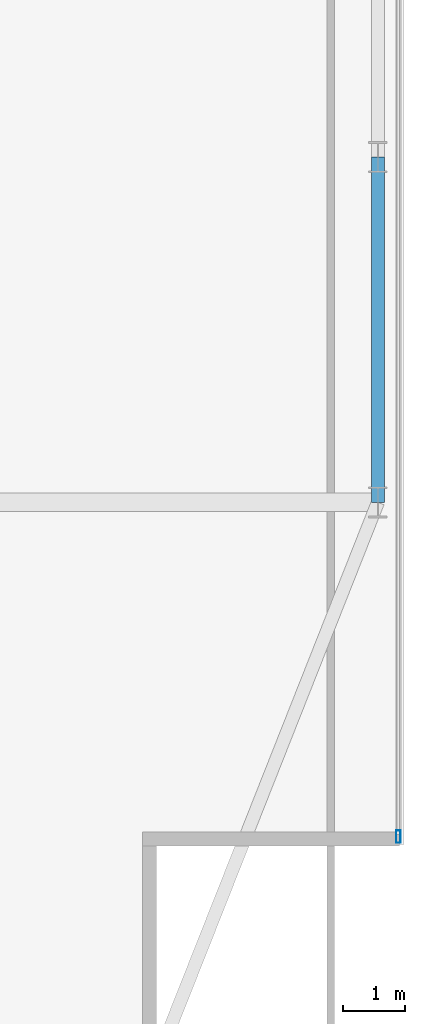
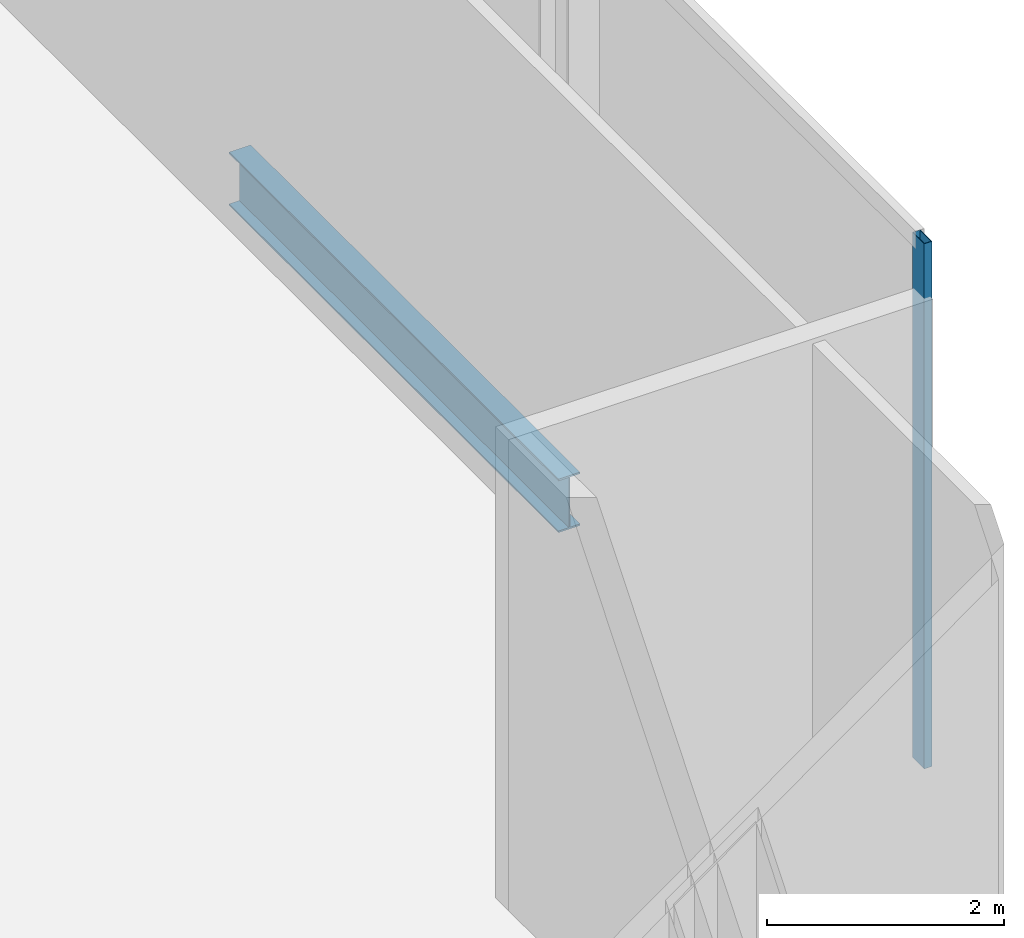
# One storey, part 13 of 23: 1 beam, 1 member, 1 element without a shape of its own.
"""IFC4 building model written with IfcOpenShell, lengths in metres."""

from ifc_helpers import new_model, si_unit, direction, frame, origin, origin_2d, place, context, subcontext, project, spatial, hollow_rectangle, i_section, extrude, material, material_profile, profile_set, type_object, element, aggregate, save


model = new_model("IFC4")

# Units and contexts
model_context = context("Model", 3, precision=1e-05, world=origin(), true_north=direction((0.0, 1.0)))
body_context = subcontext(model_context, "Body", "Model", "MODEL_VIEW")
ifc_project = project(units=[si_unit("LENGTHUNIT", "METRE"), si_unit("AREAUNIT", "SQUARE_METRE"), si_unit("VOLUMEUNIT", "CUBIC_METRE"), si_unit("PLANEANGLEUNIT", "RADIAN"), si_unit("MASSUNIT", "GRAM", prefix="KILO")], contexts=[model_context])

# Site, building, storey
site_placement = place(None, origin())
site = spatial("IfcSite", under=ifc_project, at=site_placement, CompositionType="ELEMENT")
building_placement = place(site_placement, origin())
building = spatial("IfcBuilding", under=site, at=building_placement, Name="Khoronbel Lancet Exchange", CompositionType="ELEMENT")
storey_placement = place(building_placement, frame((0.0, 0.0, 356.199951171875)))
storey = spatial("IfcBuildingStorey", under=building, at=storey_placement, Name="L92", CompositionType="ELEMENT", Elevation=356.199951171875)

# Beam
ifc_material_1 = material(Name="Steel S355", Category="steel")
ifc_material_profile_1 = material_profile(ifc_material_1, i_section(OverallWidth=0.2099609375, OverallDepth=0.550048828125, WebThickness=0.010986328125, FlangeThickness=0.01708984375, at=origin_2d()), Name="IPE 550")
ifc_profile_set_1 = profile_set([ifc_material_profile_1], Name="Steel S355")
beam_type = type_object("IfcBeamType", Name="BM-BSP3", PredefinedType="SPANDREL", material=ifc_profile_set_1)
beam_placement = place(storey_placement, frame((61.6298828125, 19.199951171875, -0.474853515625), z_axis=(0.0, 1.0, 0.0), x_axis=(-1.0, 0.0, 0.0)))
element("IfcBeam", 1, at=beam_placement, inside=storey, type_object=beam_type, Name="Level L92 perimeter spandrel beam SP09", PredefinedType="SPANDREL", context=body_context, shape_type="SweptSolid", body=[
    extrude(i_section(OverallWidth=0.2099609375, OverallDepth=0.550048828125, WebThickness=0.010986328125, FlangeThickness=0.01708984375, at=origin_2d()), origin(), (0.0, 0.0, 1.0), 5.550048828125),
])

# Curtain wall, member
ifc_material_2 = material(Name="Low-E Solar Control Insulating Glass", Category="glass")
curtain_wall_type = type_object("IfcCurtainWallType", Name="CW-6", PredefinedType="NOTDEFINED", material=ifc_material_2)
curtain_wall_placement = place(storey_placement, origin())
curtain_wall = element("IfcCurtainWall", 2, at=curtain_wall_placement, inside=storey, type_object=curtain_wall_type, Name="Unitised curtain wall CW-L92-E09", PredefinedType="NOTDEFINED")
ifc_material_3 = material(Name="Bronze-Anodised Aluminium 6063-T6", Category="aluminium")
ifc_material_profile_2 = material_profile(ifc_material_3, hollow_rectangle(XDim=0.074951171875, YDim=0.199951171875, WallThickness=0.0048828125, at=origin_2d()), Name="ALU MULLION 75x200")
ifc_profile_set_2 = profile_set([ifc_material_profile_2], Name="Bronze-Anodised Aluminium 6063-T6")
member_type = type_object("IfcMemberType", Name="MEM-CWM2", PredefinedType="MULLION", material=ifc_profile_set_2)
member_placement = place(storey_placement, frame((61.9599609375, 13.827392578125, 0.0), z_axis=(0.0, 0.0, 1.0), x_axis=(1.0, 0.0, 0.0)))
member = element("IfcMember", 3, at=member_placement, type_object=member_type, Name="CW6 mullion 3", PredefinedType="MULLION", context=body_context, shape_type="SweptSolid", body=[
    extrude(hollow_rectangle(XDim=0.074951171875, YDim=0.199951171875, WallThickness=0.0048828125, at=origin_2d()), origin(), (0.0, 0.0, 1.0), 5.400146484375),
])
aggregate(curtain_wall, [member])

save(model, "model.ifc")
